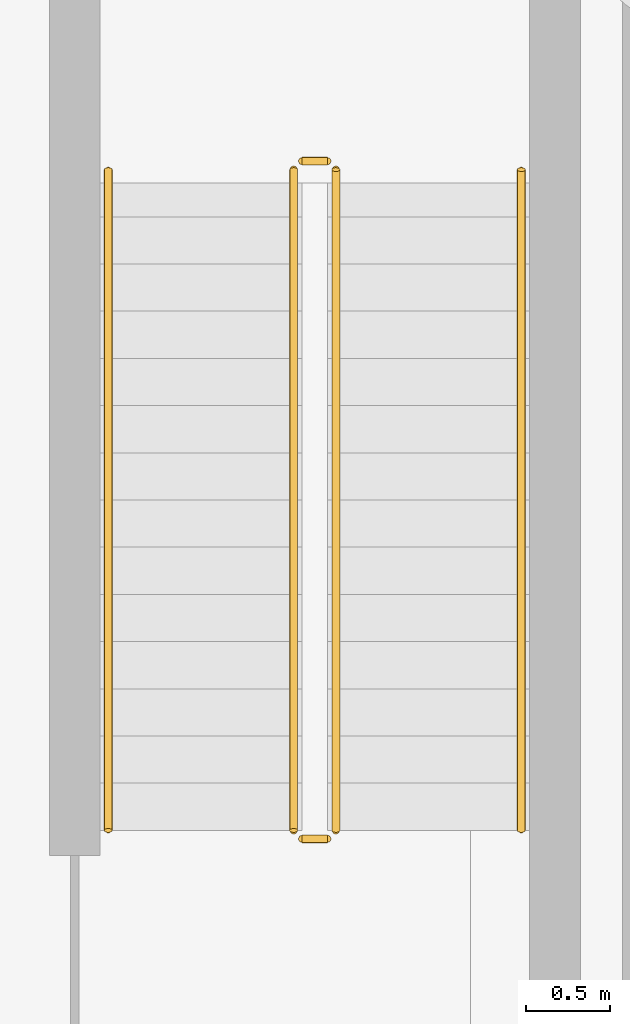
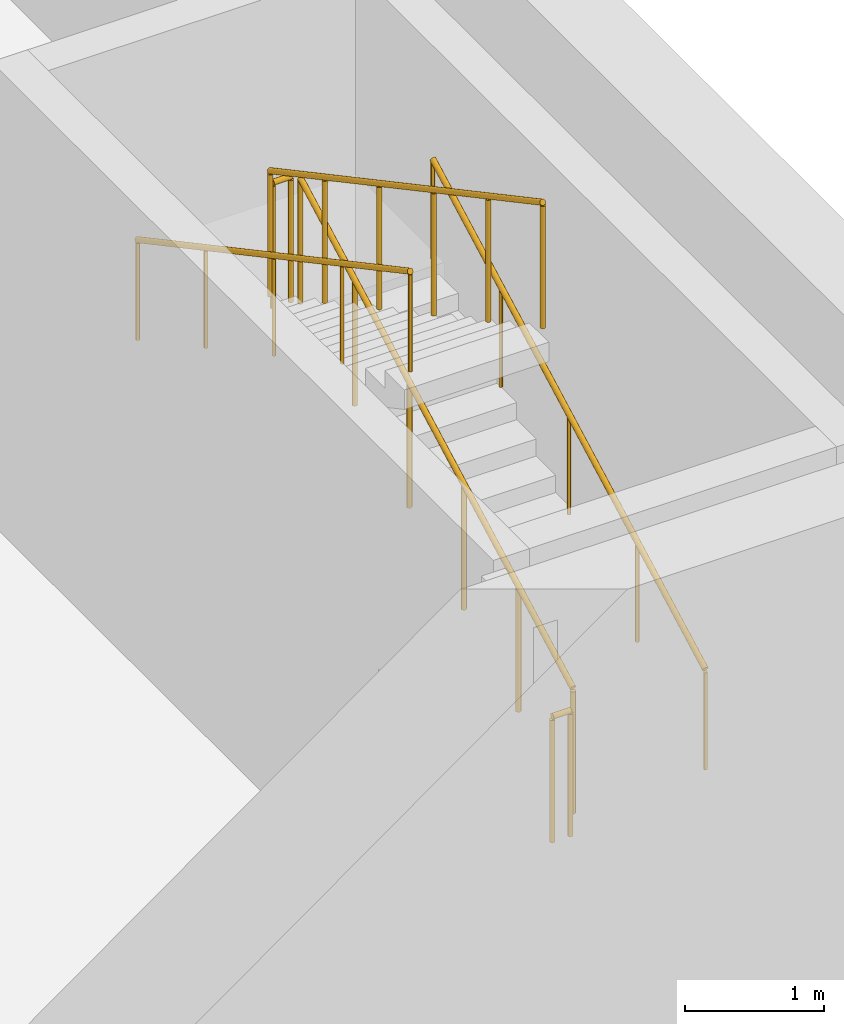
# One storey, part 18 of 23: 6 railings.
"""IFC4 building model written with IfcOpenShell, lengths in metres."""

from ifc_helpers import new_model, si_unit, direction, frame, origin, origin_2d, place, context, subcontext, project, spatial, circle, extrude, material, type_object, element, save


model = new_model("IFC4")

# Units and contexts
model_context = context("Model", 3, precision=1e-05, world=origin(), true_north=direction((0.0, 1.0)))
body_context = subcontext(model_context, "Body", "Model", "MODEL_VIEW")
ifc_project = project(units=[si_unit("LENGTHUNIT", "METRE"), si_unit("AREAUNIT", "SQUARE_METRE"), si_unit("VOLUMEUNIT", "CUBIC_METRE"), si_unit("PLANEANGLEUNIT", "RADIAN"), si_unit("MASSUNIT", "GRAM", prefix="KILO")], contexts=[model_context])

# Site, building, storey
site_placement = place(None, origin())
site = spatial("IfcSite", under=ifc_project, at=site_placement, CompositionType="ELEMENT")
building_placement = place(site_placement, origin())
building = spatial("IfcBuilding", under=site, at=building_placement, Name="Trine Commons Tower", CompositionType="ELEMENT")
storey_placement = place(building_placement, frame((0.0, 0.0, -9.0)))
storey = spatial("IfcBuildingStorey", under=building, at=storey_placement, Name="B2", CompositionType="ELEMENT", Elevation=-9.0)

# Railings
ifc_material = material(Name="Structural steel ASTM A500 Gr C", Category="steel")
railing_type_1 = type_object("IfcRailingType", Name="Steel guard 1120 mm, ASTM A500 Gr C", PredefinedType="GUARDRAIL", material=ifc_material)
railing_1_placement = place(storey_placement, frame((136.5, 23.64990234375, 0.14990234375)))
element("IfcRailing", 1, at=railing_1_placement, inside=storey, type_object=railing_type_1, Name="B2 STB2 stair guard 1", PredefinedType="GUARDRAIL", context=body_context, shape_type="SweptSolid", body=[
    extrude(circle(Radius=0.02392578125, at=origin_2d()), frame((0.0, 0.0, 1.09619140625), z_axis=(0.0, 0.881479153919, 0.472222935917), x_axis=(-1.0, 0.0, 0.0)), (0.0, 0.0, 1.0), 4.447265625),
    extrude(circle(Radius=0.02099609375, at=origin_2d()), origin(), (0.0, 0.0, 1.0), 1.072021484375),
    extrude(circle(Radius=0.02099609375, at=origin_2d()), frame((0.0, 0.783935546875, 0.419921875)), (0.0, 0.0, 1.0), 1.072021484375),
    extrude(circle(Radius=0.02099609375, at=origin_2d()), frame((0.0, 1.568115234375, 0.840087890625)), (0.0, 0.0, 1.0), 1.072021484375),
    extrude(circle(Radius=0.02099609375, at=origin_2d()), frame((0.0, 2.35205078125, 1.260009765625)), (0.0, 0.0, 1.0), 1.072021484375),
    extrude(circle(Radius=0.02099609375, at=origin_2d()), frame((0.0, 3.13623046875, 1.68017578125)), (0.0, 0.0, 1.0), 1.072021484375),
    extrude(circle(Radius=0.02099609375, at=origin_2d()), frame((0.0, 3.920166015625, 2.10009765625)), (0.0, 0.0, 1.0), 1.072021484375),
])
railing_2_placement = place(storey_placement, frame((136.449951171875, 27.6201171875, 2.25)))
element("IfcRailing", 2, at=railing_2_placement, inside=storey, type_object=railing_type_1, Name="B2 STB2 stair guard 2", PredefinedType="GUARDRAIL", context=body_context, shape_type="SweptSolid", body=[
    extrude(circle(Radius=0.02392578125, at=origin_2d()), frame((0.0, 0.0, 1.09619140625), z_axis=(-1.0, 0.0, 0.0), x_axis=(0.0, -1.0, 0.0)), (0.0, 0.0, 1.0), 0.14990234375),
    extrude(circle(Radius=0.02099609375, at=origin_2d()), origin(), (0.0, 0.0, 1.0), 1.072021484375),
    extrude(circle(Radius=0.02099609375, at=origin_2d()), frame((-0.14990234375, 0.0, 0.0)), (0.0, 0.0, 1.0), 1.072021484375),
])
railing_3_placement = place(storey_placement, frame((136.25, 27.570068359375, 2.39990234375)))
element("IfcRailing", 3, at=railing_3_placement, inside=storey, type_object=railing_type_1, Name="B2 STB2 stair guard 3", PredefinedType="GUARDRAIL", context=body_context, shape_type="SweptSolid", body=[
    extrude(circle(Radius=0.02392578125, at=origin_2d()), frame((0.0, 0.0, 1.09619140625), z_axis=(0.0, -0.881479153919, 0.472222935917), x_axis=(1.0, 0.0, 0.0)), (0.0, 0.0, 1.0), 4.447265625),
    extrude(circle(Radius=0.02099609375, at=origin_2d()), origin(), (0.0, 0.0, 1.0), 1.072021484375),
    extrude(circle(Radius=0.02099609375, at=origin_2d()), frame((0.0, -0.783935546875, 0.419921875)), (0.0, 0.0, 1.0), 1.072021484375),
    extrude(circle(Radius=0.02099609375, at=origin_2d()), frame((0.0, -1.568115234375, 0.840087890625)), (0.0, 0.0, 1.0), 1.072021484375),
    extrude(circle(Radius=0.02099609375, at=origin_2d()), frame((0.0, -2.35205078125, 1.260009765625)), (0.0, 0.0, 1.0), 1.072021484375),
    extrude(circle(Radius=0.02099609375, at=origin_2d()), frame((0.0, -3.13623046875, 1.68017578125)), (0.0, 0.0, 1.0), 1.072021484375),
    extrude(circle(Radius=0.02099609375, at=origin_2d()), frame((0.0, -3.920166015625, 2.10009765625)), (0.0, 0.0, 1.0), 1.072021484375),
])
railing_4_placement = place(storey_placement, frame((136.449951171875, 23.60009765625, 0.0)))
element("IfcRailing", 4, at=railing_4_placement, inside=storey, type_object=railing_type_1, Name="B2 STB2 stair guard 4", PredefinedType="GUARDRAIL", context=body_context, shape_type="SweptSolid", body=[
    extrude(circle(Radius=0.02392578125, at=origin_2d()), frame((0.0, 0.0, 1.09619140625), z_axis=(-1.0, 0.0, 0.0), x_axis=(0.0, -1.0, 0.0)), (0.0, 0.0, 1.0), 0.14990234375),
    extrude(circle(Radius=0.02099609375, at=origin_2d()), origin(), (0.0, 0.0, 1.0), 1.072021484375),
    extrude(circle(Radius=0.02099609375, at=origin_2d()), frame((-0.14990234375, 0.0, 0.0)), (0.0, 0.0, 1.0), 1.072021484375),
])
railing_type_2 = type_object("IfcRailingType", Name="Steel handrail 900 mm, ASTM A500 Gr C", PredefinedType="HANDRAIL", material=ifc_material)
railing_5_placement = place(storey_placement, frame((137.60009765625, 23.64990234375, 0.14990234375)))
element("IfcRailing", 5, at=railing_5_placement, inside=storey, type_object=railing_type_2, Name="B2 STB2 stair handrail 1", PredefinedType="HANDRAIL", context=body_context, shape_type="SweptSolid", body=[
    extrude(circle(Radius=0.02392578125, at=origin_2d()), frame((0.0, 0.0, 0.8759765625), z_axis=(0.0, 0.881479153919, 0.472222935917), x_axis=(-1.0, 0.0, 0.0)), (0.0, 0.0, 1.0), 4.447265625),
    extrude(circle(Radius=0.01513671875, at=origin_2d()), origin(), (0.0, 0.0, 1.0), 0.851806640625),
    extrude(circle(Radius=0.01513671875, at=origin_2d()), frame((0.0, 0.97998046875, 0.52490234375)), (0.0, 0.0, 1.0), 0.851806640625),
    extrude(circle(Radius=0.01513671875, at=origin_2d()), frame((0.0, 1.9599609375, 1.050048828125)), (0.0, 0.0, 1.0), 0.851806640625),
    extrude(circle(Radius=0.01513671875, at=origin_2d()), frame((0.0, 2.940185546875, 1.5751953125)), (0.0, 0.0, 1.0), 0.851806640625),
    extrude(circle(Radius=0.01513671875, at=origin_2d()), frame((0.0, 3.920166015625, 2.10009765625)), (0.0, 0.0, 1.0), 0.851806640625),
])
railing_6_placement = place(storey_placement, frame((135.14990234375, 27.570068359375, 2.39990234375)))
element("IfcRailing", 6, at=railing_6_placement, inside=storey, type_object=railing_type_2, Name="B2 STB2 stair handrail 2", PredefinedType="HANDRAIL", context=body_context, shape_type="SweptSolid", body=[
    extrude(circle(Radius=0.02392578125, at=origin_2d()), frame((0.0, 0.0, 0.8759765625), z_axis=(0.0, -0.881479153919, 0.472222935917), x_axis=(1.0, 0.0, 0.0)), (0.0, 0.0, 1.0), 4.447265625),
    extrude(circle(Radius=0.01513671875, at=origin_2d()), origin(), (0.0, 0.0, 1.0), 0.851806640625),
    extrude(circle(Radius=0.01513671875, at=origin_2d()), frame((0.0, -0.97998046875, 0.52490234375)), (0.0, 0.0, 1.0), 0.851806640625),
    extrude(circle(Radius=0.01513671875, at=origin_2d()), frame((0.0, -1.9599609375, 1.050048828125)), (0.0, 0.0, 1.0), 0.851806640625),
    extrude(circle(Radius=0.01513671875, at=origin_2d()), frame((0.0, -2.940185546875, 1.5751953125)), (0.0, 0.0, 1.0), 0.851806640625),
    extrude(circle(Radius=0.01513671875, at=origin_2d()), frame((0.0, -3.920166015625, 2.10009765625)), (0.0, 0.0, 1.0), 0.851806640625),
])

save(model, "model.ifc")
